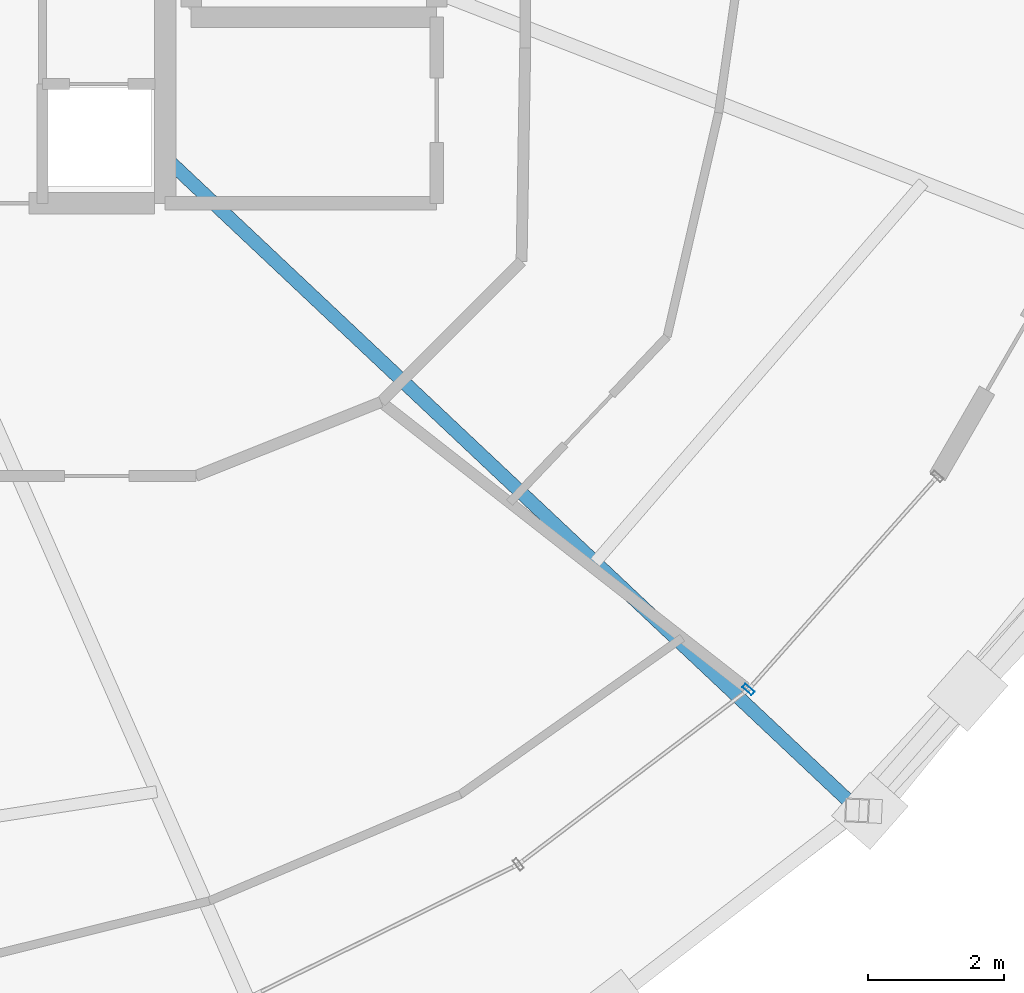
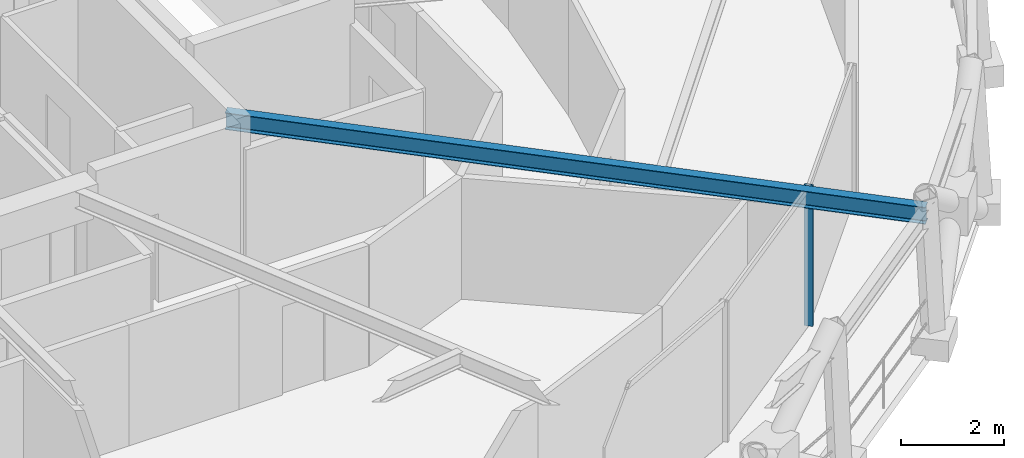
# One storey, part 5 of 17: 1 beam, 1 member, 1 element without a shape of its own.
"""IFC4 building model written with IfcOpenShell, lengths in metres."""

from ifc_helpers import new_model, si_unit, direction, frame, origin, origin_2d, place, context, subcontext, project, spatial, hollow_rectangle, i_section, extrude, material, layer, layer_set, material_profile, profile_set, type_object, element, aggregate, save


model = new_model("IFC4")

# Units and contexts
model_context = context("Model", 3, precision=1e-05, world=origin(), true_north=direction((0.0, 1.0)))
body_context = subcontext(model_context, "Body", "Model", "MODEL_VIEW")
ifc_project = project(units=[si_unit("LENGTHUNIT", "METRE"), si_unit("AREAUNIT", "SQUARE_METRE"), si_unit("VOLUMEUNIT", "CUBIC_METRE"), si_unit("PLANEANGLEUNIT", "RADIAN"), si_unit("MASSUNIT", "GRAM", prefix="KILO")], contexts=[model_context])

# Site, building, storey
site_placement = place(None, origin())
site = spatial("IfcSite", under=ifc_project, at=site_placement, CompositionType="ELEMENT")
building_placement = place(site_placement, origin())
building = spatial("IfcBuilding", under=site, at=building_placement, Name="Veldorina Hangang Commons", CompositionType="ELEMENT")
storey_placement = place(building_placement, frame((0.0, 0.0, 225.60009765625)))
storey = spatial("IfcBuildingStorey", under=building, at=storey_placement, Name="L58", CompositionType="ELEMENT", Elevation=225.60009765625)

# Beam
ifc_material_1 = material(Name="Steel SM355-TMC", Category="steel")
ifc_material_profile_1 = material_profile(ifc_material_1, i_section(OverallWidth=0.199951171875, OverallDepth=0.39990234375, WebThickness=0.008056640625, FlangeThickness=0.012939453125, FilletRadius=0.012939453125, at=origin_2d()), Name="H-400x200x8x13")
ifc_profile_set_1 = profile_set([ifc_material_profile_1], Name="Steel SM355-TMC")
beam_type = type_object("IfcBeamType", Name="BM-FG400", PredefinedType="BEAM", material=ifc_profile_set_1)
beam_placement = place(storey_placement, frame((39.199951171875, 17.220947265625, 3.159912109375), z_axis=(0.728077889465, -0.685494410533, 0.0), x_axis=(0.685494410533, 0.728077889465, 0.0)))
element("IfcBeam", 1, at=beam_placement, inside=storey, type_object=beam_type, Name="L58 radial floor girder 15", PredefinedType="BEAM", context=body_context, shape_type="SweptSolid", body=[
    extrude(i_section(OverallWidth=0.199951171875, OverallDepth=0.39990234375, WebThickness=0.008056640625, FlangeThickness=0.012939453125, FilletRadius=0.012939453125, at=origin_2d()), origin(), (0.0, 0.0, 1.0), 13.971923828125),
])

# Curtain wall, member
ifc_material_2 = material(Name="Glass Low-E Selective", Category="glass")
ifc_layer = layer(ifc_material_2, 0.179931640625)
ifc_layer_set = layer_set([ifc_layer], Name="Glass Low-E Selective")
curtain_wall_type = type_object("IfcCurtainWallType", Name="CW-SYS-Z3", PredefinedType="NOTDEFINED", material=ifc_layer_set)
curtain_wall_placement = place(storey_placement, origin())
curtain_wall = element("IfcCurtainWall", 2, at=curtain_wall_placement, inside=storey, type_object=curtain_wall_type, Name="L58 unitised curtain wall CW-L58-R1", PredefinedType="NOTDEFINED")
ifc_material_3 = material(Name="Aluminium Anodized AA6063-T6", Category="aluminium")
ifc_material_profile_2 = material_profile(ifc_material_3, hollow_rectangle(XDim=0.070068359375, YDim=0.179931640625, WallThickness=0.00390625, at=origin_2d()), Name="ALU-RHS-180x70x4")
ifc_profile_set_2 = profile_set([ifc_material_profile_2], Name="Aluminium Anodized AA6063-T6")
member_type = type_object("IfcMemberType", Name="CW-MUL-180", PredefinedType="MULLION", material=ifc_profile_set_2)
member_placement = place(storey_placement, frame((47.7548828125, 9.417724609375, 0.0), z_axis=(0.0, 0.0, 1.0), x_axis=(0.663430108194, 0.748238258539, 0.0)))
member = element("IfcMember", 3, at=member_placement, type_object=member_type, Name="CW-L58-R1 vertical mullion 3", PredefinedType="MULLION", context=body_context, shape_type="SweptSolid", body=[
    extrude(hollow_rectangle(XDim=0.070068359375, YDim=0.179931640625, WallThickness=0.00390625, at=origin_2d()), origin(), (0.0, 0.0, 1.0), 3.31982421875),
])
aggregate(curtain_wall, [member])

save(model, "model.ifc")
